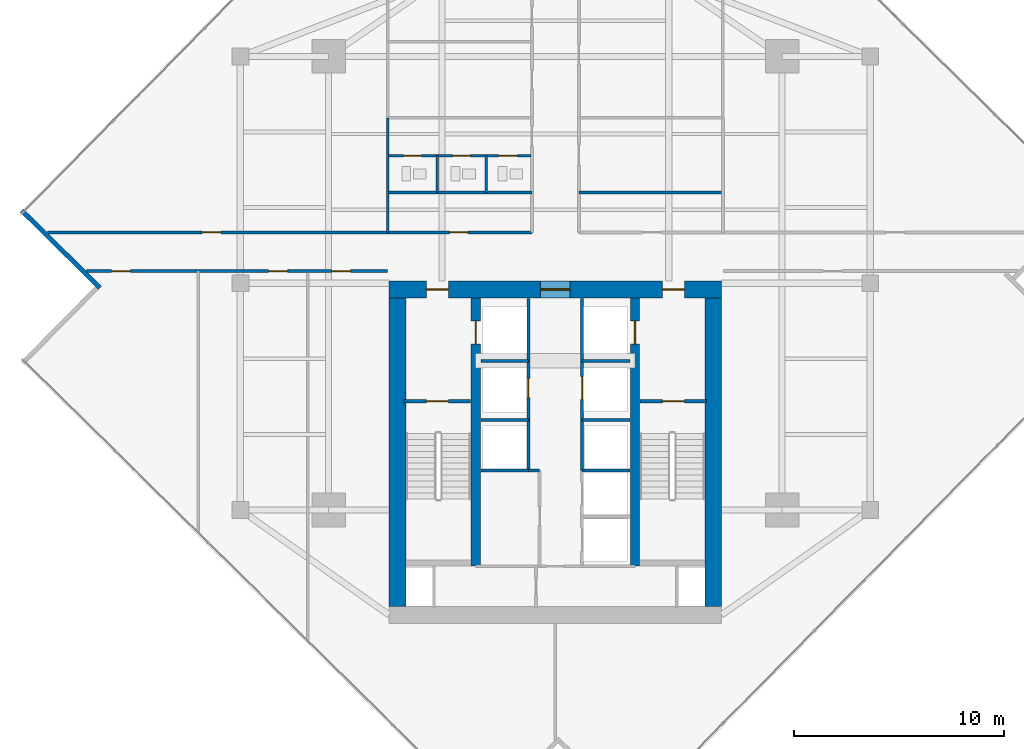
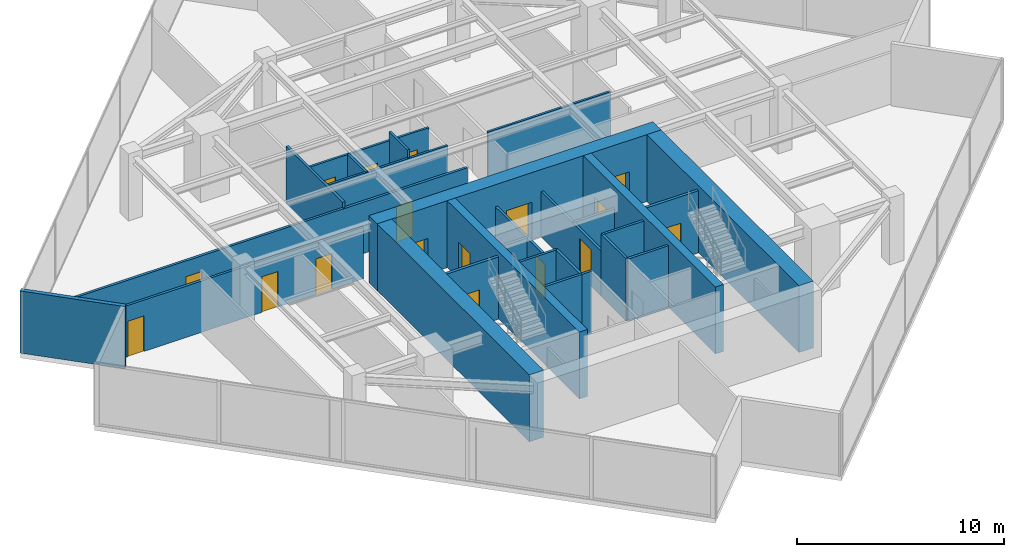
# One storey, part 21 of 24: 27 walls, 17 doors, 17 openings.
"""IFC4 building model written with IfcOpenShell, lengths in metres."""

import ifcopenshell
import ifcopenshell.guid

model = None  # the IFC model being written
_history = None  # IfcOwnerHistory: only IFC2X3 demands one
_inside = {}  # id of a spatial element -> (the spatial element, [elements in it])
_under = {}  # id of a project, library or spatial element -> (it, [spatial elements below it])
_declared = {}  # id of a project -> (the project, [libraries it declares])
_typed = {}  # id of a type object -> (the type object, [elements of that type])
_made_of = {}  # id of a material, layer set ... -> (it, [elements and type objects made of it])


def new_model(schema):
    """Start an empty IFC model of exactly this schema.

    Asked for "IFC4X3", IfcOpenShell would pick the latest addendum, in which some entities
    have other attributes; the version numbers below select the first issue.
    IFC2X3 requires an IfcOwnerHistory on every rooted entity: one is made here for all.
    """
    global model, _history
    if schema == "IFC4X3":
        model = ifcopenshell.file(schema_version=(4, 3, 0, 0))
    else:
        model = ifcopenshell.file(schema=schema)
    _inside.clear()
    _under.clear()
    _declared.clear()
    _typed.clear()
    _made_of.clear()
    _history = None
    if model.schema == "IFC2X3":
        org = make("IfcOrganization", Name="unknown")
        user = make(
            "IfcPersonAndOrganization",
            ThePerson=make("IfcPerson", FamilyName="unknown"),
            TheOrganization=org,
        )
        app = make(
            "IfcApplication",
            ApplicationDeveloper=org,
            Version="unknown",
            ApplicationFullName="unknown",
            ApplicationIdentifier="unknown",
        )
        _history = make(
            "IfcOwnerHistory",
            OwningUser=user,
            OwningApplication=app,
            ChangeAction="ADDED",
            CreationDate=0,
        )
    return model


def make(cls, **values):
    """One entity of the class cls with the attributes given. An attribute that is None is left unset."""
    return model.create_entity(
        cls, **{name: value for name, value in values.items() if value is not None}
    )


def rooted(cls, **values):
    """An entity with a GlobalId (a new one), such as an element, a storey or a relation."""
    return make(cls, GlobalId=ifcopenshell.guid.new(), OwnerHistory=_history, **values)


def si_unit(unit_type, name, prefix=None):
    """IfcSIUnit, for example si_unit("LENGTHUNIT", "METRE", prefix="MILLI")."""
    return make("IfcSIUnit", UnitType=unit_type, Prefix=prefix, Name=name)


def assignment(units):
    """IfcUnitAssignment: the units of a project."""
    return None if units is None else make("IfcUnitAssignment", Units=units)


def point(xyz):
    """IfcCartesianPoint."""
    return None if xyz is None else make("IfcCartesianPoint", Coordinates=xyz)


def direction(xyz):
    """IfcDirection."""
    return None if xyz is None else make("IfcDirection", DirectionRatios=xyz)


def frame(location, z_axis=None, x_axis=None):
    """IfcAxis2Placement3D, a coordinate frame: its origin and axes. An axis left out is left unset."""
    return make(
        "IfcAxis2Placement3D",
        Location=point(location),
        Axis=direction(z_axis),
        RefDirection=direction(x_axis),
    )


def frame_2d(location, x_axis=None):
    """IfcAxis2Placement2D, a coordinate frame in the plane: its origin and x axis."""
    return make(
        "IfcAxis2Placement2D", Location=point(location), RefDirection=direction(x_axis)
    )


def origin():
    """The frame at (0, 0, 0) with its axes left unset."""
    return frame((0.0, 0.0, 0.0))


def place(relative_to, where):
    """IfcLocalPlacement: puts the frame where relative to a parent placement (None: the world)."""
    return make(
        "IfcLocalPlacement", PlacementRelTo=relative_to, RelativePlacement=where
    )


def context(
    kind, dimensions, precision=None, world=None, true_north=None, identifier=None
):
    """IfcGeometricRepresentationContext, for example the 3D "Model" context."""
    return make(
        "IfcGeometricRepresentationContext",
        ContextIdentifier=identifier,
        ContextType=kind,
        CoordinateSpaceDimension=dimensions,
        Precision=precision,
        WorldCoordinateSystem=world,
        TrueNorth=true_north,
    )


def subcontext(parent, identifier, kind, view, scale=None):
    """IfcGeometricRepresentationSubContext, for example "Body" below "Model"."""
    return make(
        "IfcGeometricRepresentationSubContext",
        ContextIdentifier=identifier,
        ContextType=kind,
        ParentContext=parent,
        TargetScale=scale,
        TargetView=view,
    )


def project(units=None, contexts=None):
    """IfcProject with its units and contexts."""
    return rooted(
        "IfcProject",
        Name="project",
        RepresentationContexts=contexts,
        UnitsInContext=assignment(units),
    )


def spatial(cls, under=None, at=None, **own):
    """A site, building, storey or space (cls), placed at a placement, below another one or the project."""
    s = rooted(cls, ObjectPlacement=at, **own)
    if under is not None:
        _under.setdefault(under.id(), (under, []))[1].append(s)
    return s


def profile(cls, at=None, kind="AREA", **sizes):
    """A parametric profile (cls). Its sizes go by their IFC names, for example OverallWidth=200.0."""
    return make(cls, ProfileType=kind, Position=at, **sizes)


def rectangle(**sizes):
    """IfcRectangleProfileDef."""
    return profile("IfcRectangleProfileDef", **sizes)


def extrude(swept, where, along, depth):
    """IfcExtrudedAreaSolid: the profile swept, set in the frame where, extruded along a direction by depth."""
    return make(
        "IfcExtrudedAreaSolid",
        SweptArea=swept,
        Position=where,
        ExtrudedDirection=direction(along),
        Depth=depth,
    )


def shape(context_of_items, identifier, shape_type, items):
    """IfcShapeRepresentation: the items that make up one representation, for example the "Body"."""
    return make(
        "IfcShapeRepresentation",
        ContextOfItems=context_of_items,
        RepresentationIdentifier=identifier,
        RepresentationType=shape_type,
        Items=items,
    )


def material(Name=None, Category=None):
    """IfcMaterial."""
    return make("IfcMaterial", Name=Name, Category=Category)


def layer(
    of_material, thickness, ventilated=None, Name=None, Category=None, Priority=None
):
    """IfcMaterialLayer: one layer of a wall or slab, of a material (None: an air gap)."""
    return make(
        "IfcMaterialLayer",
        Material=of_material,
        LayerThickness=thickness,
        IsVentilated=ventilated,
        Name=Name,
        Category=Category,
        Priority=Priority,
    )


def layer_set(layers, Name=None):
    """IfcMaterialLayerSet."""
    return make("IfcMaterialLayerSet", MaterialLayers=layers, LayerSetName=Name)


def made_of(thing, what):
    """Note that an element or type object is made of a material, layer set ...; save() writes the relation."""
    if what is not None:
        _made_of.setdefault(what.id(), (what, []))[1].append(thing)
    return thing


def type_object(cls, material=None, **own):
    """A type object (cls), such as IfcWallType, which elements share."""
    return made_of(rooted(cls, **own), material)


def element(
    cls,
    number,
    at=None,
    inside=None,
    cuts=None,
    type_object=None,
    material=None,
    context=None,
    identifier="Body",
    shape_type=None,
    held_by="IfcProductDefinitionShape",
    body=None,
    shapes=None,
    **own,
):
    """One element of the class cls, such as IfcWall. Its Tag is "e" and its number.

    at: its placement. inside: the storey or other place that contains it. cuts: it is an
    opening in that element (IfcRelVoidsElement). A single representation is given by context,
    identifier, shape_type and body (its items); several are given by shapes. held_by: the class
    of the entity that holds the representations. save() writes the other relations.
    """
    e = rooted(cls, Tag="e%d" % number, ObjectPlacement=at, **own)
    if body is not None:
        shapes = [shape(context, identifier, shape_type, body)]
    if shapes is not None:
        e.Representation = make(held_by, Representations=shapes)
    if inside is not None:
        _inside.setdefault(inside.id(), (inside, []))[1].append(e)
    if cuts is not None:
        rooted(
            "IfcRelVoidsElement", RelatingBuildingElement=cuts, RelatedOpeningElement=e
        )
    if type_object is not None:
        _typed.setdefault(type_object.id(), (type_object, []))[1].append(e)
    return made_of(e, material)


def fill(opening, filler):
    """IfcRelFillsElement: the door or window that sits in an opening."""
    return rooted(
        "IfcRelFillsElement",
        RelatingOpeningElement=opening,
        RelatedBuildingElement=filler,
    )


def aggregate(whole, parts):
    """IfcRelAggregates: a whole, such as a stair, and the parts it consists of."""
    return rooted("IfcRelAggregates", RelatingObject=whole, RelatedObjects=parts)


def save(model, path):
    """Write the relations noted so far, then the file.

    IfcRelAggregates (storeys below a building ...), IfcRelContainedInSpatialStructure (elements
    in a storey), IfcRelDefinesByType, IfcRelAssociatesMaterial and IfcRelDeclares: one each for
    every whole, place, type object, material and project.
    """
    for whole, parts in _under.values():
        aggregate(whole, parts)
    for where, things in _inside.values():
        rooted(
            "IfcRelContainedInSpatialStructure",
            RelatedElements=things,
            RelatingStructure=where,
        )
    for kind, things in _typed.values():
        rooted("IfcRelDefinesByType", RelatedObjects=things, RelatingType=kind)
    for what, things in _made_of.values():
        rooted("IfcRelAssociatesMaterial", RelatedObjects=things, RelatingMaterial=what)
    for by, libraries in _declared.values():
        rooted("IfcRelDeclares", RelatingContext=by, RelatedDefinitions=libraries)
    model.write(path)


model = new_model("IFC4")

# Units and contexts
model_context = context("Model", 3, precision=1e-05, world=origin(), true_north=direction((0.0, 1.0)))
body_context = subcontext(model_context, "Body", "Model", "MODEL_VIEW")
ifc_project = project(units=[si_unit("LENGTHUNIT", "METRE"), si_unit("AREAUNIT", "SQUARE_METRE"), si_unit("VOLUMEUNIT", "CUBIC_METRE"), si_unit("PLANEANGLEUNIT", "RADIAN"), si_unit("MASSUNIT", "GRAM", prefix="KILO")], contexts=[model_context])

# Site, building, storey
site_placement = place(None, origin())
site = spatial("IfcSite", under=ifc_project, at=site_placement, CompositionType="ELEMENT")
building_placement = place(site_placement, origin())
building = spatial("IfcBuilding", under=site, at=building_placement, Name="Krantzveldt Concourse Tower", CompositionType="ELEMENT")
storey_placement = place(building_placement, frame((0.0, 0.0, 231.0)))
storey = spatial("IfcBuildingStorey", under=building, at=storey_placement, Name="L56", CompositionType="ELEMENT", Elevation=231.0)

# Walls
ifc_material_1 = material(Name="Anodised aluminium 6063-T6", Category="aluminium")
ifc_layer_1 = layer(ifc_material_1, 0.219970703125, Name="Anodised aluminium 6063-T6", Category="aluminium")
ifc_layer_set_1 = layer_set([ifc_layer_1], Name="Anodised aluminium 6063-T6 (WL-EXT-NOTCH220)")
wall_type_1 = type_object("IfcWallType", Name="WL-EXT-NOTCH220", PredefinedType="ELEMENTEDWALL", material=ifc_layer_set_1)
wall_1_placement = place(storey_placement, frame((10.5810546875, 30.164794921875, 0.0), z_axis=(0.0, 0.0, 1.0), x_axis=(0.711699894533, -0.702483636906, 0.0)))
element("IfcWall", 1, at=wall_1_placement, inside=storey, type_object=wall_type_1, Name="EW-L56-NCH02", PredefinedType="ELEMENTEDWALL", context=body_context, shape_type="SweptSolid", body=[
    extrude(rectangle(XDim=5.2451171875, YDim=0.219970703125, at=frame_2d((2.62255859375, 0.0))), origin(), (0.0, 0.0, 1.0), 3.669921875),
])
ifc_material_2 = material(Name="Fire-rated gypsum plasterboard on steel stud", Category="steel")
ifc_layer_2 = layer(ifc_material_2, 0.1201171875, Name="Fire-rated gypsum plasterboard on steel stud", Category="steel")
ifc_layer_set_2 = layer_set([ifc_layer_2], Name="Fire-rated gypsum plasterboard on steel stud (WL-PART-120)")
wall_type_2 = type_object("IfcWallType", Name="WL-PART-120", PredefinedType="PARTITIONING", material=ifc_layer_set_2)
for number, where, z_axis, x_axis, name in (
    (2, (28.02001953125, 31.02001953125, 0.0), (0.0, 0.0, 1.0), (1.0, 0.0, 0.0), "WP-L56-ISML"),
    (3, (37.1201171875, 31.02001953125, 0.0), (0.0, 0.0, 1.0), (1.0, 0.0, 0.0), "WP-L56-ISMR"),
):
    element("IfcWall", number, at=place(storey_placement, frame(where, z_axis=z_axis, x_axis=x_axis)), inside=storey, type_object=wall_type_2, Name=name, PredefinedType="PARTITIONING", context=body_context, shape_type="SweptSolid", body=[
        extrude(rectangle(XDim=6.85986328125, YDim=0.1201171875, at=frame_2d((3.429931640625, 0.0))), origin(), (0.0, 0.0, 1.0), 3.179931640625),
    ])

# Wall, openings, doors
wall_2_placement = place(storey_placement, frame((28.050048828125, 32.780029296875, 0.0), z_axis=(0.0, 0.0, 1.0), x_axis=(1.0, 0.0, 0.0)))
wall_2 = element("IfcWall", 4, at=wall_2_placement, inside=storey, type_object=wall_type_2, Name="WP-L56-WCHDR", PredefinedType="PARTITIONING", context=body_context, shape_type="SweptSolid", body=[
    extrude(rectangle(XDim=6.800048828125, YDim=0.1201171875, at=frame_2d((3.39990234375, 0.0))), origin(), (0.0, 0.0, 1.0), 3.179931640625),
])
opening_1_placement = place(wall_2_placement, frame((0.72509765625, 0.0, 0.0)))
opening_1 = element("IfcOpeningElement", 5, at=opening_1_placement, cuts=wall_2, Name="Opening D-IN085", PredefinedType="OPENING", context=body_context, shape_type="SweptSolid", body=[
    extrude(rectangle(XDim=0.85009765625, YDim=2.10009765625, at=frame_2d((0.425048828125, 1.050048828125))), frame((0.0, 0.070068359375, 0.0), z_axis=(0.0, -1.0, 0.0), x_axis=(1.0, 0.0, 0.0)), (0.0, 0.0, 1.0), 0.14013671875),
])
opening_2_placement = place(wall_2_placement, frame((3.06494140625, 0.0, 0.0)))
opening_2 = element("IfcOpeningElement", 6, at=opening_2_placement, cuts=wall_2, Name="Opening D-IN085", PredefinedType="OPENING", context=body_context, shape_type="SweptSolid", body=[
    extrude(rectangle(XDim=0.85009765625, YDim=2.10009765625, at=frame_2d((0.425048828125, 1.050048828125))), frame((0.0, 0.070068359375, 0.0), z_axis=(0.0, -1.0, 0.0), x_axis=(1.0, 0.0, 0.0)), (0.0, 0.0, 1.0), 0.14013671875),
])
opening_3_placement = place(wall_2_placement, frame((5.25, 0.0, 0.0)))
opening_3 = element("IfcOpeningElement", 7, at=opening_3_placement, cuts=wall_2, Name="Opening D-IN090", PredefinedType="OPENING", context=body_context, shape_type="SweptSolid", body=[
    extrude(rectangle(XDim=0.89990234375, YDim=2.10009765625, at=frame_2d((0.449951171875, 1.050048828125))), frame((0.0, 0.070068359375, 0.0), z_axis=(0.0, -1.0, 0.0), x_axis=(1.0, 0.0, 0.0)), (0.0, 0.0, 1.0), 0.14013671875),
])
ifc_material_3 = material(Name="Hardwood timber", Category="wood")
door_type_1 = type_object("IfcDoorType", Name="DR-INT-850", OperationType="SINGLE_SWING_LEFT", PredefinedType="DOOR", material=ifc_material_3)
door_1_placement = place(opening_1_placement, origin())
door_1 = element("IfcDoor", 8, at=door_1_placement, inside=storey, type_object=door_type_1, Name="DR-L56-WCM", OperationType="SINGLE_SWING_LEFT", OverallHeight=2.10009765625, OverallWidth=0.85009765625, PredefinedType="DOOR", context=body_context, shape_type="SweptSolid", body=[
    extrude(rectangle(XDim=0.85009765625, YDim=2.10009765625, at=frame_2d((0.425048828125, 1.050048828125))), frame((0.0, 0.02490234375, 0.0), z_axis=(0.0, -1.0, 0.0), x_axis=(1.0, 0.0, 0.0)), (0.0, 0.0, 1.0), 0.050048828125),
])
fill(opening_1, door_1)
door_2_placement = place(opening_2_placement, origin())
door_2 = element("IfcDoor", 9, at=door_2_placement, inside=storey, type_object=door_type_1, Name="DR-L56-WCF", OperationType="SINGLE_SWING_RIGHT", OverallHeight=2.10009765625, OverallWidth=0.85009765625, PredefinedType="DOOR", context=body_context, shape_type="SweptSolid", body=[
    extrude(rectangle(XDim=0.85009765625, YDim=2.10009765625, at=frame_2d((0.425048828125, 1.050048828125))), frame((0.0, 0.02490234375, 0.0), z_axis=(0.0, -1.0, 0.0), x_axis=(1.0, 0.0, 0.0)), (0.0, 0.0, 1.0), 0.050048828125),
])
fill(opening_2, door_2)
door_type_2 = type_object("IfcDoorType", Name="DR-INT-900", OperationType="SINGLE_SWING_LEFT", PredefinedType="DOOR", material=ifc_material_3)
door_3_placement = place(opening_3_placement, origin())
door_3 = element("IfcDoor", 10, at=door_3_placement, inside=storey, type_object=door_type_2, Name="DR-L56-WCA", OperationType="SINGLE_SWING_LEFT", OverallHeight=2.10009765625, OverallWidth=0.89990234375, PredefinedType="DOOR", context=body_context, shape_type="SweptSolid", body=[
    extrude(rectangle(XDim=0.89990234375, YDim=2.10009765625, at=frame_2d((0.449951171875, 1.050048828125))), frame((0.0, 0.02490234375, 0.0), z_axis=(0.0, -1.0, 0.0), x_axis=(1.0, 0.0, 0.0)), (0.0, 0.0, 1.0), 0.050048828125),
])
fill(opening_3, door_3)

# Walls
wall_3_placement = place(storey_placement, frame((30.3701171875, 31.02001953125, 0.0), z_axis=(0.0, 0.0, 1.0), x_axis=(0.0, 1.0, 0.0)))
element("IfcWall", 11, at=wall_3_placement, inside=storey, type_object=wall_type_2, Name="WP-L56-WCD1", PredefinedType="PARTITIONING", context=body_context, shape_type="SweptSolid", body=[
    extrude(rectangle(XDim=1.760009765625, YDim=0.1201171875, at=frame_2d((0.8798828125, 0.0))), origin(), (0.0, 0.0, 1.0), 3.179931640625),
])
wall_4_placement = place(storey_placement, frame((32.7099609375, 31.02001953125, 0.0), z_axis=(0.0, 0.0, 1.0), x_axis=(0.0, 1.0, 0.0)))
element("IfcWall", 12, at=wall_4_placement, inside=storey, type_object=wall_type_2, Name="WP-L56-WCD2", PredefinedType="PARTITIONING", context=body_context, shape_type="SweptSolid", body=[
    extrude(rectangle(XDim=1.760009765625, YDim=0.1201171875, at=frame_2d((0.8798828125, 0.0))), origin(), (0.0, 0.0, 1.0), 3.669921875),
])

# Wall, openings, doors
ifc_layer_3 = layer(ifc_material_2, 0.139892578125, Name="Fire-rated gypsum plasterboard on steel stud", Category="steel")
ifc_layer_set_3 = layer_set([ifc_layer_3], Name="Fire-rated gypsum plasterboard on steel stud (WL-PART-140)")
wall_type_3 = type_object("IfcWallType", Name="WL-PART-140", PredefinedType="PARTITIONING", material=ifc_layer_set_3)
wall_5_placement = place(storey_placement, frame((11.80322265625, 29.1201171875, 0.0), z_axis=(0.0, 0.0, 1.0), x_axis=(1.0, 0.0, 0.0)))
wall_5 = element("IfcWall", 13, at=wall_5_placement, inside=storey, type_object=wall_type_3, Name="WP-L56-EWNL", PredefinedType="PARTITIONING", context=body_context, shape_type="SweptSolid", body=[
    extrude(rectangle(XDim=23.07666015625, YDim=0.139892578125, at=frame_2d((11.538330078125, 0.0))), origin(), (0.0, 0.0, 1.0), 3.030029296875),
])
opening_4_placement = place(wall_5_placement, frame((19.146728515625, 0.0, 0.0)))
opening_4 = element("IfcOpeningElement", 14, at=opening_4_placement, cuts=wall_5, Name="Opening D-IN090", PredefinedType="OPENING", context=body_context, shape_type="SweptSolid", body=[
    extrude(rectangle(XDim=0.89990234375, YDim=2.10009765625, at=frame_2d((0.449951171875, 1.050048828125))), frame((0.0, 0.080078125, 0.0), z_axis=(0.0, -1.0, 0.0), x_axis=(1.0, 0.0, 0.0)), (0.0, 0.0, 1.0), 0.159912109375),
])
opening_5_placement = place(wall_5_placement, frame((7.36279296875, 0.0, 0.0)))
opening_5 = element("IfcOpeningElement", 15, at=opening_5_placement, cuts=wall_5, Name="Opening D-IN090", PredefinedType="OPENING", context=body_context, shape_type="SweptSolid", body=[
    extrude(rectangle(XDim=0.89990234375, YDim=2.10009765625, at=frame_2d((0.449951171875, 1.050048828125))), frame((0.0, 0.080078125, 0.0), z_axis=(0.0, -1.0, 0.0), x_axis=(1.0, 0.0, 0.0)), (0.0, 0.0, 1.0), 0.159912109375),
])
door_4_placement = place(opening_4_placement, origin())
door_4 = element("IfcDoor", 16, at=door_4_placement, inside=storey, type_object=door_type_2, Name="DR-L56-ALCL", OperationType="SINGLE_SWING_LEFT", OverallHeight=2.10009765625, OverallWidth=0.89990234375, PredefinedType="DOOR", context=body_context, shape_type="SweptSolid", body=[
    extrude(rectangle(XDim=0.89990234375, YDim=2.10009765625, at=frame_2d((0.449951171875, 1.050048828125))), frame((0.0, 0.02490234375, 0.0), z_axis=(0.0, -1.0, 0.0), x_axis=(1.0, 0.0, 0.0)), (0.0, 0.0, 1.0), 0.050048828125),
])
fill(opening_4, door_4)
door_5_placement = place(opening_5_placement, origin())
door_5 = element("IfcDoor", 17, at=door_5_placement, inside=storey, type_object=door_type_2, Name="DR-L56-NWX1", OperationType="SINGLE_SWING_LEFT", OverallHeight=2.10009765625, OverallWidth=0.89990234375, PredefinedType="DOOR", context=body_context, shape_type="SweptSolid", body=[
    extrude(rectangle(XDim=0.89990234375, YDim=2.10009765625, at=frame_2d((0.449951171875, 1.050048828125))), frame((0.0, 0.02490234375, 0.0), z_axis=(0.0, -1.0, 0.0), x_axis=(1.0, 0.0, 0.0)), (0.0, 0.0, 1.0), 0.050048828125),
])
fill(opening_5, door_5)

wall_6_placement = place(storey_placement, frame((13.66748046875, 27.280029296875, 0.0), z_axis=(0.0, 0.0, 1.0), x_axis=(1.0, 0.0, 0.0)))
wall_6 = element("IfcWall", 18, at=wall_6_placement, inside=storey, type_object=wall_type_3, Name="WP-L56-EWSL", PredefinedType="PARTITIONING", context=body_context, shape_type="SweptSolid", body=[
    extrude(rectangle(XDim=14.33251953125, YDim=0.139892578125, at=frame_2d((7.166259765625, 0.0))), origin(), (0.0, 0.0, 1.0), 3.030029296875),
])
opening_6_placement = place(wall_6_placement, frame((1.198486328125, 0.0, 0.0)))
opening_6 = element("IfcOpeningElement", 19, at=opening_6_placement, cuts=wall_6, Name="Opening D-IN090", PredefinedType="OPENING", context=body_context, shape_type="SweptSolid", body=[
    extrude(rectangle(XDim=0.89990234375, YDim=2.10009765625, at=frame_2d((0.449951171875, 1.050048828125))), frame((0.0, 0.080078125, 0.0), z_axis=(0.0, -1.0, 0.0), x_axis=(1.0, 0.0, 0.0)), (0.0, 0.0, 1.0), 0.159912109375),
])
opening_7_placement = place(wall_6_placement, frame((8.6826171875, 0.0, 0.0)))
opening_7 = element("IfcOpeningElement", 20, at=opening_7_placement, cuts=wall_6, Name="Opening D-IN090", PredefinedType="OPENING", context=body_context, shape_type="SweptSolid", body=[
    extrude(rectangle(XDim=0.89990234375, YDim=2.10009765625, at=frame_2d((0.449951171875, 1.050048828125))), frame((0.0, 0.080078125, 0.0), z_axis=(0.0, -1.0, 0.0), x_axis=(1.0, 0.0, 0.0)), (0.0, 0.0, 1.0), 0.159912109375),
])
opening_8_placement = place(wall_6_placement, frame((11.6826171875, 0.0, 0.0)))
opening_8 = element("IfcOpeningElement", 21, at=opening_8_placement, cuts=wall_6, Name="Opening D-IN090", PredefinedType="OPENING", context=body_context, shape_type="SweptSolid", body=[
    extrude(rectangle(XDim=0.89990234375, YDim=2.10009765625, at=frame_2d((0.449951171875, 1.050048828125))), frame((0.0, 0.080078125, 0.0), z_axis=(0.0, -1.0, 0.0), x_axis=(1.0, 0.0, 0.0)), (0.0, 0.0, 1.0), 0.159912109375),
])
door_6_placement = place(opening_6_placement, origin())
door_6 = element("IfcDoor", 22, at=door_6_placement, inside=storey, type_object=door_type_2, Name="DR-L56-SWX1", OperationType="SINGLE_SWING_LEFT", OverallHeight=2.10009765625, OverallWidth=0.89990234375, PredefinedType="DOOR", context=body_context, shape_type="SweptSolid", body=[
    extrude(rectangle(XDim=0.89990234375, YDim=2.10009765625, at=frame_2d((0.449951171875, 1.050048828125))), frame((0.0, 0.02490234375, 0.0), z_axis=(0.0, -1.0, 0.0), x_axis=(1.0, 0.0, 0.0)), (0.0, 0.0, 1.0), 0.050048828125),
])
fill(opening_6, door_6)
door_7_placement = place(opening_7_placement, origin())
door_7 = element("IfcDoor", 23, at=door_7_placement, inside=storey, type_object=door_type_2, Name="DR-L56-SWX2", OperationType="SINGLE_SWING_LEFT", OverallHeight=2.10009765625, OverallWidth=0.89990234375, PredefinedType="DOOR", context=body_context, shape_type="SweptSolid", body=[
    extrude(rectangle(XDim=0.89990234375, YDim=2.10009765625, at=frame_2d((0.449951171875, 1.050048828125))), frame((0.0, 0.02490234375, 0.0), z_axis=(0.0, -1.0, 0.0), x_axis=(1.0, 0.0, 0.0)), (0.0, 0.0, 1.0), 0.050048828125),
])
fill(opening_7, door_7)
door_8_placement = place(opening_8_placement, origin())
door_8 = element("IfcDoor", 24, at=door_8_placement, inside=storey, type_object=door_type_2, Name="DR-L56-SWX3", OperationType="SINGLE_SWING_LEFT", OverallHeight=2.10009765625, OverallWidth=0.89990234375, PredefinedType="DOOR", context=body_context, shape_type="SweptSolid", body=[
    extrude(rectangle(XDim=0.89990234375, YDim=2.10009765625, at=frame_2d((0.449951171875, 1.050048828125))), frame((0.0, 0.02490234375, 0.0), z_axis=(0.0, -1.0, 0.0), x_axis=(1.0, 0.0, 0.0)), (0.0, 0.0, 1.0), 0.050048828125),
])
fill(opening_8, door_8)

# Wall
wall_7_placement = place(storey_placement, frame((28.02001953125, 29.1201171875, 0.0), z_axis=(0.0, 0.0, 1.0), x_axis=(0.0, 1.0, 0.0)))
element("IfcWall", 25, at=wall_7_placement, inside=storey, type_object=wall_type_3, Name="WP-L56-ISWL", PredefinedType="PARTITIONING", context=body_context, shape_type="SweptSolid", body=[
    extrude(rectangle(XDim=5.4599609375, YDim=0.139892578125, at=frame_2d((2.72998046875, 0.0))), origin(), (0.0, 0.0, 1.0), 3.3701171875),
])

# Wall, opening, door
ifc_layer_4 = layer(ifc_material_2, 0.139892578125, Name="Fire-rated gypsum plasterboard on steel stud", Category="steel")
ifc_layer_set_4 = layer_set([ifc_layer_4], Name="Fire-rated gypsum plasterboard on steel stud (WL-PART-FR140)")
wall_type_4 = type_object("IfcWallType", Name="WL-PART-FR140", PredefinedType="PARTITIONING", material=ifc_layer_set_4)
wall_8_placement = place(storey_placement, frame((34.719970703125, 20.199951171875, 0.0), z_axis=(0.0, 0.0, 1.0), x_axis=(0.0, 1.0, 0.0)))
wall_8 = element("IfcWall", 26, at=wall_8_placement, inside=storey, type_object=wall_type_4, Name="WP-L56-SHNW", PredefinedType="PARTITIONING", context=body_context, shape_type="SweptSolid", body=[
    extrude(rectangle(XDim=5.780029296875, YDim=0.139892578125, at=frame_2d((2.89013671875, 0.0))), origin(), (0.0, 0.0, 1.0), 2.669921875),
])
opening_9_placement = place(wall_8_placement, frame((1.050048828125, 0.0, 0.0)))
opening_9 = element("IfcOpeningElement", 27, at=opening_9_placement, cuts=wall_8, Name="Opening D-FD090", PredefinedType="OPENING", context=body_context, shape_type="SweptSolid", body=[
    extrude(rectangle(XDim=0.89990234375, YDim=2.10009765625, at=frame_2d((0.449951171875, 1.050048828125))), frame((0.0, 0.080078125, 0.0), z_axis=(0.0, -1.0, 0.0), x_axis=(1.0, 0.0, 0.0)), (0.0, 0.0, 1.0), 0.159912109375),
])
door_type_3 = type_object("IfcDoorType", Name="DR-FD60-900", OperationType="SINGLE_SWING_LEFT", PredefinedType="DOOR", material=ifc_material_3)
door_9_placement = place(opening_9_placement, origin())
door_9 = element("IfcDoor", 28, at=door_9_placement, inside=storey, type_object=door_type_3, Name="Electrical Riser Access Door L56", OperationType="SINGLE_SWING_LEFT", OverallHeight=2.10009765625, OverallWidth=0.89990234375, PredefinedType="DOOR", context=body_context, shape_type="SweptSolid", body=[
    extrude(rectangle(XDim=0.89990234375, YDim=2.10009765625, at=frame_2d((0.449951171875, 1.050048828125))), frame((0.0, 0.02490234375, 0.0), z_axis=(0.0, -1.0, 0.0), x_axis=(1.0, 0.0, 0.0)), (0.0, 0.0, 1.0), 0.050048828125),
])
fill(opening_9, door_9)

wall_9_placement = place(storey_placement, frame((37.280029296875, 20.199951171875, 0.0), z_axis=(0.0, 0.0, 1.0), x_axis=(0.0, 1.0, 0.0)))
wall_9 = element("IfcWall", 29, at=wall_9_placement, inside=storey, type_object=wall_type_4, Name="WP-L56-SHNE", PredefinedType="PARTITIONING", context=body_context, shape_type="SweptSolid", body=[
    extrude(rectangle(XDim=5.780029296875, YDim=0.139892578125, at=frame_2d((2.89013671875, 0.0))), origin(), (0.0, 0.0, 1.0), 2.669921875),
])
opening_10_placement = place(wall_9_placement, frame((0.949951171875, 0.0, 0.0)))
opening_10 = element("IfcOpeningElement", 30, at=opening_10_placement, cuts=wall_9, Name="Opening LD", PredefinedType="OPENING", context=body_context, shape_type="SweptSolid", body=[
    extrude(rectangle(XDim=1.10009765625, YDim=2.14990234375, at=frame_2d((0.550048828125, 1.074951171875))), frame((0.0, 0.080078125, 0.0), z_axis=(0.0, -1.0, 0.0), x_axis=(1.0, 0.0, 0.0)), (0.0, 0.0, 1.0), 0.159912109375),
])
ifc_material_4 = material(Name="Stainless steel 316L", Category="steel")
door_type_4 = type_object("IfcDoorType", Name="DR-SLIDE-LD1100", OperationType="DOUBLE_DOOR_SLIDING", PredefinedType="DOOR", material=ifc_material_4)
door_10_placement = place(opening_10_placement, origin())
door_10 = element("IfcDoor", 31, at=door_10_placement, inside=storey, type_object=door_type_4, Name="LD-L56-GL1", OperationType="DOUBLE_DOOR_SLIDING", OverallHeight=2.14990234375, OverallWidth=1.10009765625, PredefinedType="DOOR", context=body_context, shape_type="SweptSolid", body=[
    extrude(rectangle(XDim=1.10009765625, YDim=2.14990234375, at=frame_2d((0.550048828125, 1.074951171875))), frame((0.0, 0.02490234375, 0.0), z_axis=(0.0, -1.0, 0.0), x_axis=(1.0, 0.0, 0.0)), (0.0, 0.0, 1.0), 0.050048828125),
])
fill(opening_10, door_10)

# Walls
for number, where, z_axis, x_axis, name in (
    (32, (32.449951171875, 23.0, 0.0), (0.0, 0.0, 1.0), (1.0, 0.0, 0.0), "WP-L56-RISH"),
    (33, (37.280029296875, 23.0, 0.0), (0.0, 0.0, 1.0), (1.0, 0.0, 0.0), "WP-L56-GLH"),
):
    element("IfcWall", number, at=place(storey_placement, frame(where, z_axis=z_axis, x_axis=x_axis)), inside=storey, type_object=wall_type_4, Name=name, PredefinedType="PARTITIONING", context=body_context, shape_type="SweptSolid", body=[
        extrude(rectangle(XDim=2.27001953125, YDim=0.139892578125, at=frame_2d((1.135009765625, 0.0))), origin(), (0.0, 0.0, 1.0), 2.669921875),
    ])
for number, where, z_axis, x_axis, name in (
    (34, (34.719970703125, 17.780029296875, 0.0), (0.0, 0.0, 1.0), (0.0, 1.0, 0.0), "WP-L56-SHNW2"),
    (35, (37.280029296875, 17.780029296875, 0.0), (0.0, 0.0, 1.0), (0.0, 1.0, 0.0), "WP-L56-SHNE2"),
):
    element("IfcWall", number, at=place(storey_placement, frame(where, z_axis=z_axis, x_axis=x_axis)), inside=storey, type_object=wall_type_4, Name=name, PredefinedType="PARTITIONING", context=body_context, shape_type="SweptSolid", body=[
        extrude(rectangle(XDim=2.419921875, YDim=0.139892578125, at=frame_2d((1.2099609375, 0.0))), origin(), (0.0, 0.0, 1.0), 3.669921875),
    ])
for number, where, z_axis, x_axis, name in (
    (36, (32.449951171875, 17.780029296875, 0.0), (0.0, 0.0, 1.0), (1.0, 0.0, 0.0), "WP-L56-DIVW2"),
    (37, (32.449951171875, 20.179931640625, 0.0), (0.0, 0.0, 1.0), (1.0, 0.0, 0.0), "WP-L56-DIVW3"),
    (38, (37.280029296875, 17.780029296875, 0.0), (0.0, 0.0, 1.0), (1.0, 0.0, 0.0), "WP-L56-DIVE2"),
    (39, (37.280029296875, 20.179931640625, 0.0), (0.0, 0.0, 1.0), (1.0, 0.0, 0.0), "WP-L56-DIVE3"),
):
    element("IfcWall", number, at=place(storey_placement, frame(where, z_axis=z_axis, x_axis=x_axis)), inside=storey, type_object=wall_type_4, Name=name, PredefinedType="PARTITIONING", context=body_context, shape_type="SweptSolid", body=[
        extrude(rectangle(XDim=2.27001953125, YDim=0.139892578125, at=frame_2d((1.135009765625, 0.0))), origin(), (0.0, 0.0, 1.0), 3.669921875),
    ])
wall_10_placement = place(storey_placement, frame((34.719970703125, 17.780029296875, 0.0), z_axis=(0.0, 0.0, 1.0), x_axis=(1.0, 0.0, 0.0)))
element("IfcWall", 40, at=wall_10_placement, inside=storey, type_object=wall_type_4, Name="WP-L56-RECWN", PredefinedType="PARTITIONING", context=body_context, shape_type="SweptSolid", body=[
    extrude(rectangle(XDim=0.530029296875, YDim=0.139892578125, at=frame_2d((0.26513671875, 0.0))), origin(), (0.0, 0.0, 1.0), 3.669921875),
])

# Wall, opening, door
ifc_layer_5 = layer(ifc_material_2, 0.159912109375, Name="Fire-rated gypsum plasterboard on steel stud", Category="steel")
ifc_layer_set_5 = layer_set([ifc_layer_5], Name="Fire-rated gypsum plasterboard on steel stud (WL-PART-FR160)")
wall_type_5 = type_object("IfcWallType", Name="WL-PART-FR160", PredefinedType="PARTITIONING", material=ifc_layer_set_5)
wall_11_placement = place(storey_placement, frame((28.800048828125, 21.080078125, 0.0), z_axis=(0.0, 0.0, 1.0), x_axis=(1.0, 0.0, 0.0)))
wall_11 = element("IfcWall", 41, at=wall_11_placement, inside=storey, type_object=wall_type_5, Name="WP-L56-ST1", PredefinedType="PARTITIONING", context=body_context, shape_type="SweptSolid", body=[
    extrude(rectangle(XDim=3.159912109375, YDim=0.159912109375, at=frame_2d((1.580078125, 0.0))), origin(), (0.0, 0.0, 1.0), 3.669921875),
])
opening_11_placement = place(wall_11_placement, frame((1.054931640625, 0.0, 0.0)))
opening_11 = element("IfcOpeningElement", 42, at=opening_11_placement, cuts=wall_11, Name="Opening D-FD105", PredefinedType="OPENING", context=body_context, shape_type="SweptSolid", body=[
    extrude(rectangle(XDim=1.050048828125, YDim=2.10009765625, at=frame_2d((0.52490234375, 1.050048828125))), frame((0.0, 0.08984375, 0.0), z_axis=(0.0, -1.0, 0.0), x_axis=(1.0, 0.0, 0.0)), (0.0, 0.0, 1.0), 0.179931640625),
])
ifc_material_5 = material(Name="Galvanised steel", Category="steel")
door_type_5 = type_object("IfcDoorType", Name="DR-FD120-1050", OperationType="SINGLE_SWING_LEFT", PredefinedType="DOOR", material=ifc_material_5)
door_11_placement = place(opening_11_placement, origin())
door_11 = element("IfcDoor", 43, at=door_11_placement, inside=storey, type_object=door_type_5, Name="DR-L56-ST1", OperationType="SINGLE_SWING_RIGHT", OverallHeight=2.10009765625, OverallWidth=1.050048828125, PredefinedType="DOOR", context=body_context, shape_type="SweptSolid", body=[
    extrude(rectangle(XDim=1.050048828125, YDim=2.10009765625, at=frame_2d((0.52490234375, 1.050048828125))), frame((0.0, 0.02490234375, 0.0), z_axis=(0.0, -1.0, 0.0), x_axis=(1.0, 0.0, 0.0)), (0.0, 0.0, 1.0), 0.050048828125),
])
fill(opening_11, door_11)

wall_12_placement = place(storey_placement, frame((40.0400390625, 21.080078125, 0.0), z_axis=(0.0, 0.0, 1.0), x_axis=(1.0, 0.0, 0.0)))
wall_12 = element("IfcWall", 44, at=wall_12_placement, inside=storey, type_object=wall_type_5, Name="WP-L56-ST2", PredefinedType="PARTITIONING", context=body_context, shape_type="SweptSolid", body=[
    extrude(rectangle(XDim=3.159912109375, YDim=0.159912109375, at=frame_2d((1.580078125, 0.0))), origin(), (0.0, 0.0, 1.0), 3.669921875),
])
opening_12_placement = place(wall_12_placement, frame((1.054931640625, 0.0, 0.0)))
opening_12 = element("IfcOpeningElement", 45, at=opening_12_placement, cuts=wall_12, Name="Opening D-FD105", PredefinedType="OPENING", context=body_context, shape_type="SweptSolid", body=[
    extrude(rectangle(XDim=1.050048828125, YDim=2.10009765625, at=frame_2d((0.52490234375, 1.050048828125))), frame((0.0, 0.08984375, 0.0), z_axis=(0.0, -1.0, 0.0), x_axis=(1.0, 0.0, 0.0)), (0.0, 0.0, 1.0), 0.179931640625),
])
door_12_placement = place(opening_12_placement, origin())
door_12 = element("IfcDoor", 46, at=door_12_placement, inside=storey, type_object=door_type_5, Name="DR-L56-ST2", OperationType="SINGLE_SWING_LEFT", OverallHeight=2.10009765625, OverallWidth=1.050048828125, PredefinedType="DOOR", context=body_context, shape_type="SweptSolid", body=[
    extrude(rectangle(XDim=1.050048828125, YDim=2.10009765625, at=frame_2d((0.52490234375, 1.050048828125))), frame((0.0, 0.02490234375, 0.0), z_axis=(0.0, -1.0, 0.0), x_axis=(1.0, 0.0, 0.0)), (0.0, 0.0, 1.0), 0.050048828125),
])
fill(opening_12, door_12)

ifc_material_6 = material(Name="Concrete C50/60", Category="concrete")
ifc_layer_6 = layer(ifc_material_6, 0.449951171875, Name="Concrete C50/60", Category="concrete")
ifc_layer_set_6 = layer_set([ifc_layer_6], Name="Concrete C50/60 (WL-SHEAR-450)")
wall_type_6 = type_object("IfcWallType", Name="WL-SHEAR-450", PredefinedType="SHEAR", material=ifc_layer_set_6)
wall_13_placement = place(storey_placement, frame((32.205078125, 13.219970703125, 0.0), z_axis=(0.0, 0.0, 1.0), x_axis=(0.0, 1.0, 0.0)))
wall_13 = element("IfcWall", 47, at=wall_13_placement, inside=storey, type_object=wall_type_6, Name="CW-L56-IW", PredefinedType="SHEAR", context=body_context, shape_type="SweptSolid", body=[
    extrude(rectangle(XDim=12.780029296875, YDim=0.449951171875, at=frame_2d((6.39013671875, 0.0))), origin(), (0.0, 0.0, 1.0), 3.949951171875),
])
opening_13_placement = place(wall_13_placement, frame((10.580078125, 0.0, 0.0)))
opening_13 = element("IfcOpeningElement", 48, at=opening_13_placement, cuts=wall_13, Name="Opening LD", PredefinedType="OPENING", context=body_context, shape_type="SweptSolid", body=[
    extrude(rectangle(XDim=1.10009765625, YDim=2.14990234375, at=frame_2d((0.550048828125, 1.074951171875))), frame((0.0, 0.23486328125, 0.0), z_axis=(0.0, -1.0, 0.0), x_axis=(1.0, 0.0, 0.0)), (0.0, 0.0, 1.0), 0.469970703125),
])
door_13_placement = place(opening_13_placement, origin())
door_13 = element("IfcDoor", 49, at=door_13_placement, inside=storey, type_object=door_type_4, Name="LD-L56-FL1", OperationType="DOUBLE_DOOR_SLIDING", OverallHeight=2.14990234375, OverallWidth=1.10009765625, PredefinedType="DOOR", context=body_context, shape_type="SweptSolid", body=[
    extrude(rectangle(XDim=1.10009765625, YDim=2.14990234375, at=frame_2d((0.550048828125, 1.074951171875))), frame((0.0, 0.02490234375, 0.0), z_axis=(0.0, -1.0, 0.0), x_axis=(1.0, 0.0, 0.0)), (0.0, 0.0, 1.0), 0.050048828125),
])
fill(opening_13, door_13)

wall_14_placement = place(storey_placement, frame((39.794921875, 13.219970703125, 0.0), z_axis=(0.0, 0.0, 1.0), x_axis=(0.0, 1.0, 0.0)))
wall_14 = element("IfcWall", 50, at=wall_14_placement, inside=storey, type_object=wall_type_6, Name="CW-L56-IE", PredefinedType="SHEAR", context=body_context, shape_type="SweptSolid", body=[
    extrude(rectangle(XDim=12.780029296875, YDim=0.449951171875, at=frame_2d((6.39013671875, 0.0))), origin(), (0.0, 0.0, 1.0), 3.949951171875),
])
opening_14_placement = place(wall_14_placement, frame((10.580078125, 0.0, 0.0)))
opening_14 = element("IfcOpeningElement", 51, at=opening_14_placement, cuts=wall_14, Name="Opening LD", PredefinedType="OPENING", context=body_context, shape_type="SweptSolid", body=[
    extrude(rectangle(XDim=1.10009765625, YDim=2.14990234375, at=frame_2d((0.550048828125, 1.074951171875))), frame((0.0, 0.23486328125, 0.0), z_axis=(0.0, -1.0, 0.0), x_axis=(1.0, 0.0, 0.0)), (0.0, 0.0, 1.0), 0.469970703125),
])
door_14_placement = place(opening_14_placement, origin())
door_14 = element("IfcDoor", 52, at=door_14_placement, inside=storey, type_object=door_type_4, Name="LD-L56-FL2", OperationType="DOUBLE_DOOR_SLIDING", OverallHeight=2.14990234375, OverallWidth=1.10009765625, PredefinedType="DOOR", context=body_context, shape_type="SweptSolid", body=[
    extrude(rectangle(XDim=1.10009765625, YDim=2.14990234375, at=frame_2d((0.550048828125, 1.074951171875))), frame((0.0, 0.02490234375, 0.0), z_axis=(0.0, -1.0, 0.0), x_axis=(1.0, 0.0, 0.0)), (0.0, 0.0, 1.0), 0.050048828125),
])
fill(opening_14, door_14)

# Wall, openings, doors
ifc_material_7 = material(Name="Concrete C60/75", Category="concrete")
ifc_layer_7 = layer(ifc_material_7, 0.800048828125, Name="Concrete C60/75", Category="concrete")
ifc_layer_set_7 = layer_set([ifc_layer_7], Name="Concrete C60/75 (WL-SHEAR-800)")
wall_type_7 = type_object("IfcWallType", Name="WL-SHEAR-800", PredefinedType="SHEAR", material=ifc_layer_set_7)
wall_15_placement = place(storey_placement, frame((28.080078125, 26.39990234375, 0.0), z_axis=(0.0, 0.0, 1.0), x_axis=(1.0, 0.0, 0.0)))
wall_15 = element("IfcWall", 53, at=wall_15_placement, inside=storey, type_object=wall_type_7, Name="CW-L56-N", PredefinedType="SHEAR", context=body_context, shape_type="SweptSolid", body=[
    extrude(rectangle(XDim=15.83984375, YDim=0.800048828125, at=frame_2d((7.919921875, 0.0))), origin(), (0.0, 0.0, 1.0), 3.949951171875),
])
opening_15_placement = place(wall_15_placement, frame((7.219970703125, 0.0, 0.0)))
opening_15 = element("IfcOpeningElement", 54, at=opening_15_placement, cuts=wall_15, Name="Opening D-DB140", PredefinedType="OPENING", context=body_context, shape_type="SweptSolid", body=[
    extrude(rectangle(XDim=1.39990234375, YDim=2.199951171875, at=frame_2d((0.699951171875, 1.10009765625))), frame((0.0, 0.41015625, 0.0), z_axis=(0.0, -1.0, 0.0), x_axis=(1.0, 0.0, 0.0)), (0.0, 0.0, 1.0), 0.820068359375),
])
opening_16_placement = place(wall_15_placement, frame((1.77490234375, 0.0, 0.0)))
opening_16 = element("IfcOpeningElement", 55, at=opening_16_placement, cuts=wall_15, Name="Opening D-FD105", PredefinedType="OPENING", context=body_context, shape_type="SweptSolid", body=[
    extrude(rectangle(XDim=1.050048828125, YDim=2.10009765625, at=frame_2d((0.52490234375, 1.050048828125))), frame((0.0, 0.41015625, 0.0), z_axis=(0.0, -1.0, 0.0), x_axis=(1.0, 0.0, 0.0)), (0.0, 0.0, 1.0), 0.820068359375),
])
opening_17_placement = place(wall_15_placement, frame((13.014892578125, 0.0, 0.0)))
opening_17 = element("IfcOpeningElement", 56, at=opening_17_placement, cuts=wall_15, Name="Opening D-FD105", PredefinedType="OPENING", context=body_context, shape_type="SweptSolid", body=[
    extrude(rectangle(XDim=1.050048828125, YDim=2.10009765625, at=frame_2d((0.52490234375, 1.050048828125))), frame((0.0, 0.41015625, 0.0), z_axis=(0.0, -1.0, 0.0), x_axis=(1.0, 0.0, 0.0)), (0.0, 0.0, 1.0), 0.820068359375),
])
door_type_6 = type_object("IfcDoorType", Name="DR-DBL-1400", OperationType="DOUBLE_DOOR_SINGLE_SWING", PredefinedType="DOOR", material=ifc_material_1)
door_15_placement = place(opening_15_placement, origin())
door_15 = element("IfcDoor", 57, at=door_15_placement, inside=storey, type_object=door_type_6, Name="DR-L56-LLB", OperationType="DOUBLE_DOOR_SINGLE_SWING", OverallHeight=2.199951171875, OverallWidth=1.39990234375, PredefinedType="DOOR", context=body_context, shape_type="SweptSolid", body=[
    extrude(rectangle(XDim=1.39990234375, YDim=2.199951171875, at=frame_2d((0.699951171875, 1.10009765625))), frame((0.0, 0.02490234375, 0.0), z_axis=(0.0, -1.0, 0.0), x_axis=(1.0, 0.0, 0.0)), (0.0, 0.0, 1.0), 0.050048828125),
])
fill(opening_15, door_15)
door_16_placement = place(opening_16_placement, origin())
door_16 = element("IfcDoor", 58, at=door_16_placement, inside=storey, type_object=door_type_5, Name="DR-L56-FFL1", OperationType="SINGLE_SWING_LEFT", OverallHeight=2.10009765625, OverallWidth=1.050048828125, PredefinedType="DOOR", context=body_context, shape_type="SweptSolid", body=[
    extrude(rectangle(XDim=1.050048828125, YDim=2.10009765625, at=frame_2d((0.52490234375, 1.050048828125))), frame((0.0, 0.02490234375, 0.0), z_axis=(0.0, -1.0, 0.0), x_axis=(1.0, 0.0, 0.0)), (0.0, 0.0, 1.0), 0.050048828125),
])
fill(opening_16, door_16)
door_17_placement = place(opening_17_placement, origin())
door_17 = element("IfcDoor", 59, at=door_17_placement, inside=storey, type_object=door_type_5, Name="DR-L56-FFL2", OperationType="SINGLE_SWING_RIGHT", OverallHeight=2.10009765625, OverallWidth=1.050048828125, PredefinedType="DOOR", context=body_context, shape_type="SweptSolid", body=[
    extrude(rectangle(XDim=1.050048828125, YDim=2.10009765625, at=frame_2d((0.52490234375, 1.050048828125))), frame((0.0, 0.02490234375, 0.0), z_axis=(0.0, -1.0, 0.0), x_axis=(1.0, 0.0, 0.0)), (0.0, 0.0, 1.0), 0.050048828125),
])
fill(opening_17, door_17)

# Walls
for number, where, z_axis, x_axis, name in (
    (60, (28.47998046875, 11.300048828125, 0.0), (0.0, 0.0, 1.0), (0.0, 1.0, 0.0), "CW-L56-W"),
    (61, (43.52001953125, 11.300048828125, 0.0), (0.0, 0.0, 1.0), (0.0, 1.0, 0.0), "CW-L56-E"),
):
    element("IfcWall", number, at=place(storey_placement, frame(where, z_axis=z_axis, x_axis=x_axis)), inside=storey, type_object=wall_type_7, Name=name, PredefinedType="SHEAR", context=body_context, shape_type="SweptSolid", body=[
        extrude(rectangle(XDim=14.699951171875, YDim=0.800048828125, at=frame_2d((7.35009765625, 0.0))), origin(), (0.0, 0.0, 1.0), 3.949951171875),
    ])

save(model, "model.ifc")
